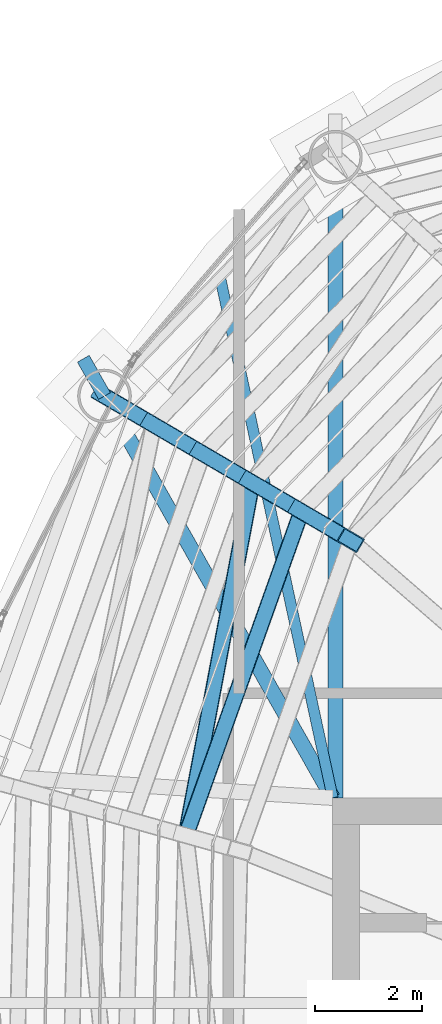
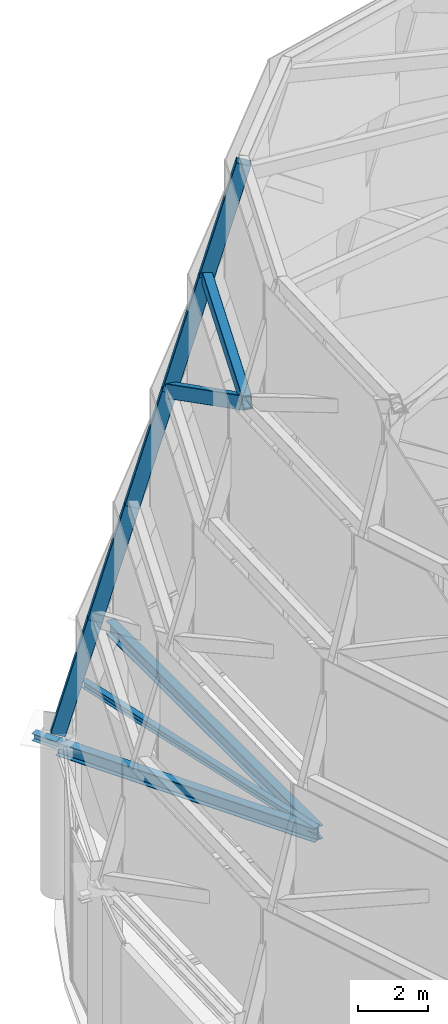
# One storey, part 25 of 40: 7 members, 4 beams.
"""IFC4 building model written with IfcOpenShell, lengths in metres."""

from ifc_helpers import new_model, si_unit, direction, frame, origin, origin_2d, place, context, subcontext, project, spatial, hollow_rectangle, i_section, extrude, material, material_profile, profile_set, type_object, element, save


model = new_model("IFC4")

# Units and contexts
model_context = context("Model", 3, precision=1e-05, world=origin(), true_north=direction((0.0, 1.0)))
body_context = subcontext(model_context, "Body", "Model", "MODEL_VIEW")
ifc_project = project(units=[si_unit("LENGTHUNIT", "METRE"), si_unit("AREAUNIT", "SQUARE_METRE"), si_unit("VOLUMEUNIT", "CUBIC_METRE"), si_unit("PLANEANGLEUNIT", "RADIAN"), si_unit("MASSUNIT", "GRAM", prefix="KILO")], contexts=[model_context])

# Site, building, storey
site_placement = place(None, origin())
site = spatial("IfcSite", under=ifc_project, at=site_placement, CompositionType="ELEMENT")
building_placement = place(site_placement, origin())
building = spatial("IfcBuilding", under=site, at=building_placement, Name="Bramvorn Convention Spire", CompositionType="ELEMENT")
storey_placement = place(building_placement, frame((0.0, 0.0, 312.5)))
storey = spatial("IfcBuildingStorey", under=building, at=storey_placement, Name="L79", CompositionType="ELEMENT", Elevation=312.5)

# Beams
ifc_material = material(Name="Steel CSA G40.21 Grade 350 (350W)", Category="steel")
ifc_material_profile_1 = material_profile(ifc_material, i_section(OverallWidth=0.201904296875, OverallDepth=0.2470703125, WebThickness=0.00732421875, FlangeThickness=0.010986328125, FilletRadius=0.011962890625, at=origin_2d()))
ifc_profile_set_1 = profile_set([ifc_material_profile_1], Name="Steel CSA G40.21 Grade 350 (350W) - W250X49")
beam_type_1 = type_object("IfcBeamType", Name="BM-W250X49", PredefinedType="JOIST", material=ifc_profile_set_1)
beam_1_placement = place(storey_placement, frame((26.75, 33.449951171875, 5.12646484375), z_axis=(-0.211461445939, 0.977386339623, 0.0), x_axis=(-0.977386339623, -0.211461445939, 0.0)))
element("IfcBeam", 1, at=beam_1_placement, inside=storey, type_object=beam_type_1, Name="L79 composite floor joist 09", PredefinedType="JOIST", context=body_context, shape_type="SweptSolid", body=[
    extrude(i_section(OverallWidth=0.201904296875, OverallDepth=0.2470703125, WebThickness=0.00732421875, FlangeThickness=0.010986328125, FilletRadius=0.011962890625, at=origin_2d()), origin(), (0.0, 0.0, 1.0), 9.9462890625),
])
ifc_material_profile_2 = material_profile(ifc_material, i_section(OverallWidth=0.25390625, OverallDepth=0.2529296875, WebThickness=0.008544921875, FlangeThickness=0.01416015625, FilletRadius=0.011962890625, at=origin_2d()))
ifc_profile_set_2 = profile_set([ifc_material_profile_2], Name="Steel CSA G40.21 Grade 350 (350W) - W250X73")
beam_type_2 = type_object("IfcBeamType", Name="BM-W250X73", PredefinedType="BEAM", material=ifc_profile_set_2)
beam_2_placement = place(storey_placement, frame((22.49365234375, 40.94384765625, 5.12353515625), z_axis=(-0.494067079829, 0.869423786556, 0.0), x_axis=(-0.869423786556, -0.494067079829, 0.0)))
element("IfcBeam", 2, at=beam_2_placement, inside=storey, type_object=beam_type_2, Name="L79 slab-edge cantilever tip beam MC10", PredefinedType="BEAM", context=body_context, shape_type="SweptSolid", body=[
    extrude(i_section(OverallWidth=0.25390625, OverallDepth=0.2529296875, WebThickness=0.008544921875, FlangeThickness=0.01416015625, FilletRadius=0.011962890625, at=origin_2d()), origin(), (0.0, 0.0, 1.0), 0.800048828125),
])
ifc_material_profile_3 = material_profile(ifc_material, i_section(OverallWidth=0.283935546875, OverallDepth=0.47607421875, WebThickness=0.014892578125, FlangeThickness=0.02392578125, FilletRadius=0.01806640625, at=origin_2d()))
ifc_profile_set_3 = profile_set([ifc_material_profile_3], Name="Steel CSA G40.21 Grade 350 (350W) - W460X158")
beam_type_3 = type_object("IfcBeamType", Name="BM-W460X158", PredefinedType="SPANDREL", material=ifc_profile_set_3)
beam_3_placement = place(storey_placement, frame((26.800048828125, 33.449951171875, 5.011962890625), z_axis=(0.0, 1.0, 0.0), x_axis=(-1.0, 0.0, 0.0)))
element("IfcBeam", 3, at=beam_3_placement, inside=storey, type_object=beam_type_3, Name="L79 radial floor girder MC09", PredefinedType="SPANDREL", context=body_context, shape_type="SweptSolid", body=[
    extrude(i_section(OverallWidth=0.283935546875, OverallDepth=0.47607421875, WebThickness=0.014892578125, FlangeThickness=0.02392578125, FilletRadius=0.01806640625, at=origin_2d()), origin(), (0.0, 0.0, 1.0), 11.948974609375),
])
beam_4_placement = place(storey_placement, frame((26.75, 33.449951171875, 5.011962890625), z_axis=(-0.493873612118, 0.869533699895, 0.0), x_axis=(-0.869533699895, -0.493873612118, 0.0)))
element("IfcBeam", 4, at=beam_4_placement, inside=storey, type_object=beam_type_3, Name="L79 radial floor girder MC10", PredefinedType="SPANDREL", context=body_context, shape_type="SweptSolid", body=[
    extrude(i_section(OverallWidth=0.283935546875, OverallDepth=0.47607421875, WebThickness=0.014892578125, FlangeThickness=0.02392578125, FilletRadius=0.01806640625, at=origin_2d()), origin(), (0.0, 0.0, 1.0), 8.618408203125),
])

# Members
ifc_material_profile_4 = material_profile(ifc_material, hollow_rectangle(XDim=0.300048828125, YDim=0.449951171875, WallThickness=0.02001953125, InnerFilletRadius=0.00390625, OuterFilletRadius=0.02392578125, at=origin_2d()))
ifc_profile_set_4 = profile_set([ifc_material_profile_4], Name="Steel CSA G40.21 Grade 350 (350W) - CROWN450X300X20")
member_type = type_object("IfcMemberType", Name="MBR-CROWN450X300X20", PredefinedType="USERDEFINED", material=ifc_profile_set_4)
for number, where, z_axis, x_axis, name in (
    (5, (22.49365234375, 40.94384765625, 5.5), (0.221835525318, -0.129998802925, 0.966379485991), (0.505595862555, 0.862770435149, 0.0), "Crown spire CROWN FRAME rib T1-10"),
    (6, (23.411865234375, 40.40576171875, 9.5), (0.221837225928, -0.129940815932, 0.966386894338), (0.505425074307, 0.862870496808, 0.0), "Crown spire CROWN FRAME rib T2-10"),
    (7, (24.330078125, 39.867919921875, 13.5), (0.221835525318, -0.129998802925, 0.966379485991), (0.505595862555, 0.862770435149, 0.0), "Crown spire CROWN FRAME rib T3-10"),
    (8, (25.248291015625, 39.329833984375, 17.5), (0.221837225928, -0.129940815932, 0.966386894338), (0.505425074307, 0.862870496808, 0.0), "Crown spire CROWN FRAME rib T4-10"),
):
    element("IfcMember", number, at=place(storey_placement, frame(where, z_axis=z_axis, x_axis=x_axis)), inside=storey, type_object=member_type, Name=name, ObjectType="CROWN FRAME", PredefinedType="USERDEFINED", context=body_context, shape_type="SweptSolid", body=[
        extrude(hollow_rectangle(XDim=0.300048828125, YDim=0.449951171875, WallThickness=0.02001953125, InnerFilletRadius=0.00390625, OuterFilletRadius=0.02392578125, at=origin_2d()), origin(), (0.0, 0.0, 1.0), 4.13916015625),
    ])
member_1_placement = place(storey_placement, frame((26.16650390625, 38.7919921875, 21.5), z_axis=(-0.335827754363, -0.941923414827, 0.0), x_axis=(0.941923414827, -0.335827754363, 0.0)))
element("IfcMember", 9, at=member_1_placement, inside=storey, type_object=member_type, Name="Crown spire CROWN FRAME ring beam T4-10", ObjectType="CROWN FRAME", PredefinedType="USERDEFINED", context=body_context, shape_type="SweptSolid", body=[
    extrude(hollow_rectangle(XDim=0.300048828125, YDim=0.449951171875, WallThickness=0.02001953125, InnerFilletRadius=0.00390625, OuterFilletRadius=0.02392578125, at=origin_2d()), origin(), (0.0, 0.0, 1.0), 6.416259765625),
])
member_2_placement = place(storey_placement, frame((25.248291015625, 39.329833984375, 17.5), z_axis=(-0.15852732515, -0.843747212514, 0.512795991165), x_axis=(0.982803607662, -0.184653916196, 0.0)))
element("IfcMember", 10, at=member_2_placement, inside=storey, type_object=member_type, Name="Crown spire CROWN FRAME wind brace T4-10", ObjectType="CROWN FRAME", PredefinedType="USERDEFINED", context=body_context, shape_type="SweptSolid", body=[
    extrude(hollow_rectangle(XDim=0.300048828125, YDim=0.449951171875, WallThickness=0.02001953125, InnerFilletRadius=0.00390625, OuterFilletRadius=0.02392578125, at=origin_2d()), origin(), (0.0, 0.0, 1.0), 7.80029296875),
])
member_3_placement = place(storey_placement, frame((26.16650390625, 38.7919921875, 21.5), z_axis=(0.221835525318, -0.129998802925, 0.966379485991), x_axis=(0.505595862555, 0.862770435149, 0.0)))
element("IfcMember", 11, at=member_3_placement, inside=storey, type_object=member_type, Name="Crown spire CROWN FRAME rib T5-10", ObjectType="CROWN FRAME", PredefinedType="USERDEFINED", context=body_context, shape_type="SweptSolid", body=[
    extrude(hollow_rectangle(XDim=0.300048828125, YDim=0.449951171875, WallThickness=0.02001953125, InnerFilletRadius=0.00390625, OuterFilletRadius=0.02392578125, at=origin_2d()), origin(), (0.0, 0.0, 1.0), 4.13916015625),
])

save(model, "model.ifc")
